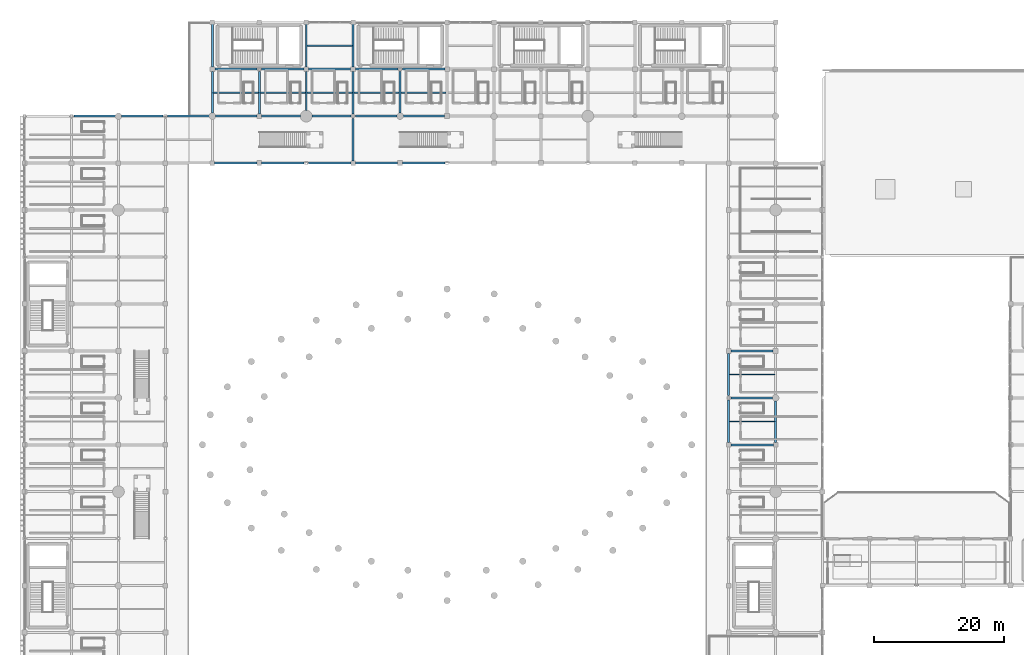
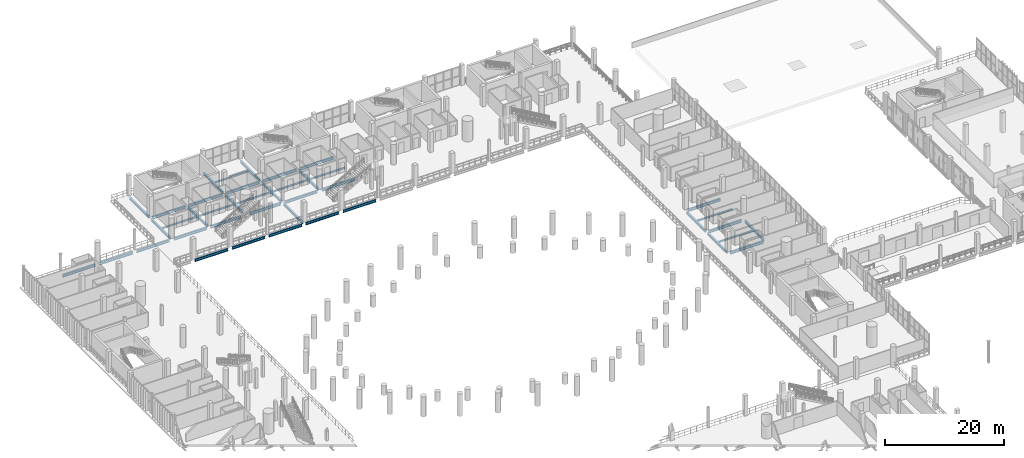
# One storey, part 60 of 130: 41 beams.
"""IFC4 building model written with IfcOpenShell, lengths in metres."""

from ifc_helpers import new_model, si_unit, direction, frame, origin, origin_2d, place, context, subcontext, project, spatial, i_section, extrude, material, material_profile, profile_set, type_object, element, save


model = new_model("IFC4")

# Units and contexts
model_context = context("Model", 3, precision=1e-05, world=origin(), true_north=direction((0.0, 1.0)))
body_context = subcontext(model_context, "Body", "Model", "MODEL_VIEW")
ifc_project = project(units=[si_unit("LENGTHUNIT", "METRE"), si_unit("AREAUNIT", "SQUARE_METRE"), si_unit("VOLUMEUNIT", "CUBIC_METRE"), si_unit("PLANEANGLEUNIT", "RADIAN"), si_unit("MASSUNIT", "GRAM", prefix="KILO")], contexts=[model_context])

# Site, building, storey
site_placement = place(None, origin())
site = spatial("IfcSite", under=ifc_project, at=site_placement, CompositionType="ELEMENT")
building_placement = place(site_placement, origin())
building = spatial("IfcBuilding", under=site, at=building_placement, Name="Qandorah Velis Arena", CompositionType="ELEMENT")
storey_placement = place(building_placement, frame((0.0, 0.0, 9.60009765625)))
storey = spatial("IfcBuildingStorey", under=building, at=storey_placement, Name="L02", CompositionType="ELEMENT", Elevation=9.60009765625)

# Beams
ifc_material = material(Name="Steel S355", Category="steel")
ifc_material_profile_1 = material_profile(ifc_material, i_section(OverallWidth=0.300048828125, OverallDepth=0.5, WebThickness=0.014404296875, FlangeThickness=0.028076171875, FilletRadius=0.027099609375, at=origin_2d()), Name="HEB 500")
ifc_profile_set_1 = profile_set([ifc_material_profile_1], Name="Steel S355")
beam_type_1 = type_object("IfcBeamType", Name="STR-BM-HEB500", PredefinedType="BEAM", material=ifc_profile_set_1)
beam_1_placement = place(storey_placement, frame((28.800048828125, 115.64990234375, -0.530029296875), z_axis=(0.0, 1.0, 0.0), x_axis=(-1.0, 0.0, 0.0)))
element("IfcBeam", 1, at=beam_1_placement, inside=storey, type_object=beam_type_1, Name="Primary floor girder L02 Y-244", PredefinedType="BEAM", context=body_context, shape_type="SweptSolid", body=[
    extrude(i_section(OverallWidth=0.300048828125, OverallDepth=0.5, WebThickness=0.014404296875, FlangeThickness=0.028076171875, FilletRadius=0.027099609375, at=origin_2d()), origin(), (0.0, 0.0, 1.0), 6.375),
])
beam_2_placement = place(storey_placement, frame((28.800048828125, 122.77490234375, -0.530029296875), z_axis=(0.0, 1.0, 0.0), x_axis=(-1.0, 0.0, 0.0)))
element("IfcBeam", 2, at=beam_2_placement, inside=storey, type_object=beam_type_1, Name="Primary floor girder L02 Y-245", PredefinedType="BEAM", context=body_context, shape_type="SweptSolid", body=[
    extrude(i_section(OverallWidth=0.300048828125, OverallDepth=0.5, WebThickness=0.014404296875, FlangeThickness=0.028076171875, FilletRadius=0.027099609375, at=origin_2d()), origin(), (0.0, 0.0, 1.0), 6.525146484375),
])
beam_3_placement = place(storey_placement, frame((36.0, 115.550048828125, -0.530029296875), z_axis=(0.0, 1.0, 0.0), x_axis=(-1.0, 0.0, 0.0)))
element("IfcBeam", 3, at=beam_3_placement, inside=storey, type_object=beam_type_1, Name="Primary floor girder L02 Y-247", PredefinedType="BEAM", context=body_context, shape_type="SweptSolid", body=[
    extrude(i_section(OverallWidth=0.300048828125, OverallDepth=0.5, WebThickness=0.014404296875, FlangeThickness=0.028076171875, FilletRadius=0.027099609375, at=origin_2d()), origin(), (0.0, 0.0, 1.0), 6.5),
])
beam_4_placement = place(storey_placement, frame((43.199951171875, 116.050048828125, -0.530029296875), z_axis=(0.0, 1.0, 0.0), x_axis=(-1.0, 0.0, 0.0)))
element("IfcBeam", 4, at=beam_4_placement, inside=storey, type_object=beam_type_1, Name="Primary floor girder L02 Y-250", PredefinedType="BEAM", context=body_context, shape_type="SweptSolid", body=[
    extrude(i_section(OverallWidth=0.300048828125, OverallDepth=0.5, WebThickness=0.014404296875, FlangeThickness=0.028076171875, FilletRadius=0.027099609375, at=origin_2d()), origin(), (0.0, 0.0, 1.0), 6.0),
])
beam_5_placement = place(storey_placement, frame((43.199951171875, 122.75, -0.530029296875), z_axis=(0.0, 1.0, 0.0), x_axis=(-1.0, 0.0, 0.0)))
element("IfcBeam", 5, at=beam_5_placement, inside=storey, type_object=beam_type_1, Name="Primary floor girder L02 Y-251", PredefinedType="BEAM", context=body_context, shape_type="SweptSolid", body=[
    extrude(i_section(OverallWidth=0.300048828125, OverallDepth=0.5, WebThickness=0.014404296875, FlangeThickness=0.028076171875, FilletRadius=0.027099609375, at=origin_2d()), origin(), (0.0, 0.0, 1.0), 6.550048828125),
])
beam_6_placement = place(storey_placement, frame((50.39990234375, 108.35009765625, -0.530029296875), z_axis=(0.0, 1.0, 0.0), x_axis=(-1.0, 0.0, 0.0)))
element("IfcBeam", 6, at=beam_6_placement, inside=storey, type_object=beam_type_1, Name="Primary floor girder L02 Y-255", PredefinedType="BEAM", context=body_context, shape_type="SweptSolid", body=[
    extrude(i_section(OverallWidth=0.300048828125, OverallDepth=0.5, WebThickness=0.014404296875, FlangeThickness=0.028076171875, FilletRadius=0.027099609375, at=origin_2d()), origin(), (0.0, 0.0, 1.0), 6.5),
])
beam_7_placement = place(storey_placement, frame((50.39990234375, 115.550048828125, -0.530029296875), z_axis=(0.0, 1.0, 0.0), x_axis=(-1.0, 0.0, 0.0)))
element("IfcBeam", 7, at=beam_7_placement, inside=storey, type_object=beam_type_1, Name="Primary floor girder L02 Y-256", PredefinedType="BEAM", context=body_context, shape_type="SweptSolid", body=[
    extrude(i_section(OverallWidth=0.300048828125, OverallDepth=0.5, WebThickness=0.014404296875, FlangeThickness=0.028076171875, FilletRadius=0.027099609375, at=origin_2d()), origin(), (0.0, 0.0, 1.0), 6.474853515625),
])
beam_8_placement = place(storey_placement, frame((50.39990234375, 122.77490234375, -0.530029296875), z_axis=(0.0, 1.0, 0.0), x_axis=(-1.0, 0.0, 0.0)))
element("IfcBeam", 8, at=beam_8_placement, inside=storey, type_object=beam_type_1, Name="Primary floor girder L02 Y-257", PredefinedType="BEAM", context=body_context, shape_type="SweptSolid", body=[
    extrude(i_section(OverallWidth=0.300048828125, OverallDepth=0.5, WebThickness=0.014404296875, FlangeThickness=0.028076171875, FilletRadius=0.027099609375, at=origin_2d()), origin(), (0.0, 0.0, 1.0), 6.525146484375),
])
beam_9_placement = place(storey_placement, frame((57.60009765625, 115.64990234375, -0.530029296875), z_axis=(0.0, 1.0, 0.0), x_axis=(-1.0, 0.0, 0.0)))
element("IfcBeam", 9, at=beam_9_placement, inside=storey, type_object=beam_type_1, Name="Primary floor girder L02 Y-259", PredefinedType="BEAM", context=body_context, shape_type="SweptSolid", body=[
    extrude(i_section(OverallWidth=0.300048828125, OverallDepth=0.5, WebThickness=0.014404296875, FlangeThickness=0.028076171875, FilletRadius=0.027099609375, at=origin_2d()), origin(), (0.0, 0.0, 1.0), 6.400146484375),
])
beam_10_placement = place(storey_placement, frame((108.0, 65.14990234375, -0.530029296875), z_axis=(0.0, 1.0, 0.0), x_axis=(-1.0, 0.0, 0.0)))
element("IfcBeam", 10, at=beam_10_placement, inside=storey, type_object=beam_type_1, Name="Primary floor girder L02 Y-296", PredefinedType="BEAM", context=body_context, shape_type="SweptSolid", body=[
    extrude(i_section(OverallWidth=0.300048828125, OverallDepth=0.5, WebThickness=0.014404296875, FlangeThickness=0.028076171875, FilletRadius=0.027099609375, at=origin_2d()), origin(), (0.0, 0.0, 1.0), 6.5),
])
beam_11_placement = place(storey_placement, frame((108.0, 72.35009765625, -0.530029296875), z_axis=(0.0, 1.0, 0.0), x_axis=(-1.0, 0.0, 0.0)))
element("IfcBeam", 11, at=beam_11_placement, inside=storey, type_object=beam_type_1, Name="Primary floor girder L02 Y-297", PredefinedType="BEAM", context=body_context, shape_type="SweptSolid", body=[
    extrude(i_section(OverallWidth=0.300048828125, OverallDepth=0.5, WebThickness=0.014404296875, FlangeThickness=0.028076171875, FilletRadius=0.027099609375, at=origin_2d()), origin(), (0.0, 0.0, 1.0), 6.474853515625),
])
beam_12_placement = place(storey_placement, frame((115.199951171875, 65.14990234375, -0.530029296875), z_axis=(0.0, 1.0, 0.0), x_axis=(-1.0, 0.0, 0.0)))
element("IfcBeam", 12, at=beam_12_placement, inside=storey, type_object=beam_type_1, Name="Primary floor girder L02 Y-313", PredefinedType="BEAM", context=body_context, shape_type="SweptSolid", body=[
    extrude(i_section(OverallWidth=0.300048828125, OverallDepth=0.5, WebThickness=0.014404296875, FlangeThickness=0.028076171875, FilletRadius=0.027099609375, at=origin_2d()), origin(), (0.0, 0.0, 1.0), 6.400146484375),
])
ifc_material_profile_2 = material_profile(ifc_material, i_section(OverallWidth=0.300048828125, OverallDepth=0.550048828125, WebThickness=0.014892578125, FlangeThickness=0.029052734375, FilletRadius=0.027099609375, at=origin_2d()), Name="HEB 550")
ifc_profile_set_2 = profile_set([ifc_material_profile_2], Name="Steel S355")
beam_type_2 = type_object("IfcBeamType", Name="STR-BM-HEB550", PredefinedType="BEAM", material=ifc_profile_set_2)
beam_13_placement = place(storey_placement, frame((108.35009765625, 64.800048828125, -0.55517578125), z_axis=(1.0, 0.0, 0.0), x_axis=(0.0, 1.0, 0.0)))
element("IfcBeam", 13, at=beam_13_placement, inside=storey, type_object=beam_type_2, Name="Primary floor girder L02 X-094", PredefinedType="BEAM", context=body_context, shape_type="SweptSolid", body=[
    extrude(i_section(OverallWidth=0.300048828125, OverallDepth=0.550048828125, WebThickness=0.014892578125, FlangeThickness=0.029052734375, FilletRadius=0.027099609375, at=origin_2d()), origin(), (0.0, 0.0, 1.0), 6.5),
])
beam_14_placement = place(storey_placement, frame((108.35009765625, 72.0, -0.55517578125), z_axis=(1.0, 0.0, 0.0), x_axis=(0.0, 1.0, 0.0)))
element("IfcBeam", 14, at=beam_14_placement, inside=storey, type_object=beam_type_2, Name="Primary floor girder L02 X-100", PredefinedType="BEAM", context=body_context, shape_type="SweptSolid", body=[
    extrude(i_section(OverallWidth=0.300048828125, OverallDepth=0.550048828125, WebThickness=0.014892578125, FlangeThickness=0.029052734375, FilletRadius=0.027099609375, at=origin_2d()), origin(), (0.0, 0.0, 1.0), 6.39990234375),
])
beam_15_placement = place(storey_placement, frame((108.375, 79.199951171875, -0.55517578125), z_axis=(1.0, 0.0, 0.0), x_axis=(0.0, 1.0, 0.0)))
element("IfcBeam", 15, at=beam_15_placement, inside=storey, type_object=beam_type_2, Name="Primary floor girder L02 X-106", PredefinedType="BEAM", context=body_context, shape_type="SweptSolid", body=[
    extrude(i_section(OverallWidth=0.300048828125, OverallDepth=0.550048828125, WebThickness=0.014892578125, FlangeThickness=0.029052734375, FilletRadius=0.027099609375, at=origin_2d()), origin(), (0.0, 0.0, 1.0), 6.449951171875),
])
for number, where, z_axis, x_axis, name in (
    (16, (29.14990234375, 108.0, -0.55517578125), (1.0, 0.0, 0.0), (0.0, 1.0, 0.0), "Primary floor girder L02 X-131"),
    (17, (36.375, 108.0, -0.55517578125), (1.0, 0.0, 0.0), (0.0, 1.0, 0.0), "Primary floor girder L02 X-132"),
):
    element("IfcBeam", number, at=place(storey_placement, frame(where, z_axis=z_axis, x_axis=x_axis)), inside=storey, type_object=beam_type_2, Name=name, PredefinedType="BEAM", context=body_context, shape_type="SweptSolid", body=[
        extrude(i_section(OverallWidth=0.300048828125, OverallDepth=0.550048828125, WebThickness=0.014892578125, FlangeThickness=0.029052734375, FilletRadius=0.027099609375, at=origin_2d()), origin(), (0.0, 0.0, 1.0), 6.47509765625),
    ])
beam_16_placement = place(storey_placement, frame((43.550048828125, 108.0, -0.55517578125), z_axis=(1.0, 0.0, 0.0), x_axis=(0.0, 1.0, 0.0)))
element("IfcBeam", 18, at=beam_16_placement, inside=storey, type_object=beam_type_2, Name="Primary floor girder L02 X-133", PredefinedType="BEAM", context=body_context, shape_type="SweptSolid", body=[
    extrude(i_section(OverallWidth=0.300048828125, OverallDepth=0.550048828125, WebThickness=0.014892578125, FlangeThickness=0.029052734375, FilletRadius=0.027099609375, at=origin_2d()), origin(), (0.0, 0.0, 1.0), 6.5),
])
beam_17_placement = place(storey_placement, frame((50.75, 108.0, -0.55517578125), z_axis=(1.0, 0.0, 0.0), x_axis=(0.0, 1.0, 0.0)))
element("IfcBeam", 19, at=beam_17_placement, inside=storey, type_object=beam_type_2, Name="Primary floor girder L02 X-134", PredefinedType="BEAM", context=body_context, shape_type="SweptSolid", body=[
    extrude(i_section(OverallWidth=0.300048828125, OverallDepth=0.550048828125, WebThickness=0.014892578125, FlangeThickness=0.029052734375, FilletRadius=0.027099609375, at=origin_2d()), origin(), (0.0, 0.0, 1.0), 6.47509765625),
])
beam_18_placement = place(storey_placement, frame((57.97509765625, 108.0, -0.55517578125), z_axis=(1.0, 0.0, 0.0), x_axis=(0.0, 1.0, 0.0)))
element("IfcBeam", 20, at=beam_18_placement, inside=storey, type_object=beam_type_2, Name="Primary floor girder L02 X-135", PredefinedType="BEAM", context=body_context, shape_type="SweptSolid", body=[
    extrude(i_section(OverallWidth=0.300048828125, OverallDepth=0.550048828125, WebThickness=0.014892578125, FlangeThickness=0.029052734375, FilletRadius=0.027099609375, at=origin_2d()), origin(), (0.0, 0.0, 1.0), 6.474853515625),
])
for number, where, z_axis, x_axis, name in (
    (21, (7.550048828125, 115.199951171875, -0.55517578125), (1.0, 0.0, 0.0), (0.0, 1.0, 0.0), "Primary floor girder L02 X-145"),
    (22, (14.85009765625, 115.199951171875, -0.55517578125), (1.0, 0.0, 0.0), (0.0, 1.0, 0.0), "Primary floor girder L02 X-146"),
):
    element("IfcBeam", number, at=place(storey_placement, frame(where, z_axis=z_axis, x_axis=x_axis)), inside=storey, type_object=beam_type_2, Name=name, PredefinedType="BEAM", context=body_context, shape_type="SweptSolid", body=[
        extrude(i_section(OverallWidth=0.300048828125, OverallDepth=0.550048828125, WebThickness=0.014892578125, FlangeThickness=0.029052734375, FilletRadius=0.027099609375, at=origin_2d()), origin(), (0.0, 0.0, 1.0), 6.39990234375),
    ])
beam_19_placement = place(storey_placement, frame((21.949951171875, 115.199951171875, -0.55517578125), z_axis=(1.0, 0.0, 0.0), x_axis=(0.0, 1.0, 0.0)))
element("IfcBeam", 23, at=beam_19_placement, inside=storey, type_object=beam_type_2, Name="Primary floor girder L02 X-147", PredefinedType="BEAM", context=body_context, shape_type="SweptSolid", body=[
    extrude(i_section(OverallWidth=0.300048828125, OverallDepth=0.550048828125, WebThickness=0.014892578125, FlangeThickness=0.029052734375, FilletRadius=0.027099609375, at=origin_2d()), origin(), (0.0, 0.0, 1.0), 6.400146484375),
])
beam_20_placement = place(storey_placement, frame((29.25, 115.199951171875, -0.55517578125), z_axis=(1.0, 0.0, 0.0), x_axis=(0.0, 1.0, 0.0)))
element("IfcBeam", 24, at=beam_20_placement, inside=storey, type_object=beam_type_2, Name="Primary floor girder L02 X-148", PredefinedType="BEAM", context=body_context, shape_type="SweptSolid", body=[
    extrude(i_section(OverallWidth=0.300048828125, OverallDepth=0.550048828125, WebThickness=0.014892578125, FlangeThickness=0.029052734375, FilletRadius=0.027099609375, at=origin_2d()), origin(), (0.0, 0.0, 1.0), 6.39990234375),
])
for number, where, z_axis, x_axis, name in (
    (25, (36.35009765625, 115.199951171875, -0.55517578125), (1.0, 0.0, 0.0), (0.0, 1.0, 0.0), "Primary floor girder L02 X-149"),
    (26, (44.050048828125, 115.199951171875, -0.55517578125), (1.0, 0.0, 0.0), (0.0, 1.0, 0.0), "Primary floor girder L02 X-150"),
):
    element("IfcBeam", number, at=place(storey_placement, frame(where, z_axis=z_axis, x_axis=x_axis)), inside=storey, type_object=beam_type_2, Name=name, PredefinedType="BEAM", context=body_context, shape_type="SweptSolid", body=[
        extrude(i_section(OverallWidth=0.300048828125, OverallDepth=0.550048828125, WebThickness=0.014892578125, FlangeThickness=0.029052734375, FilletRadius=0.027099609375, at=origin_2d()), origin(), (0.0, 0.0, 1.0), 6.0),
    ])
beam_21_placement = place(storey_placement, frame((50.75, 115.199951171875, -0.55517578125), z_axis=(1.0, 0.0, 0.0), x_axis=(0.0, 1.0, 0.0)))
element("IfcBeam", 27, at=beam_21_placement, inside=storey, type_object=beam_type_2, Name="Primary floor girder L02 X-151", PredefinedType="BEAM", context=body_context, shape_type="SweptSolid", body=[
    extrude(i_section(OverallWidth=0.300048828125, OverallDepth=0.550048828125, WebThickness=0.014892578125, FlangeThickness=0.029052734375, FilletRadius=0.027099609375, at=origin_2d()), origin(), (0.0, 0.0, 1.0), 6.39990234375),
])
beam_22_placement = place(storey_placement, frame((58.050048828125, 115.199951171875, -0.55517578125), z_axis=(1.0, 0.0, 0.0), x_axis=(0.0, 1.0, 0.0)))
element("IfcBeam", 28, at=beam_22_placement, inside=storey, type_object=beam_type_2, Name="Primary floor girder L02 X-152", PredefinedType="BEAM", context=body_context, shape_type="SweptSolid", body=[
    extrude(i_section(OverallWidth=0.300048828125, OverallDepth=0.550048828125, WebThickness=0.014892578125, FlangeThickness=0.029052734375, FilletRadius=0.027099609375, at=origin_2d()), origin(), (0.0, 0.0, 1.0), 6.375),
])
beam_23_placement = place(storey_placement, frame((29.175048828125, 122.39990234375, -0.55517578125), z_axis=(1.0, 0.0, 0.0), x_axis=(0.0, 1.0, 0.0)))
element("IfcBeam", 29, at=beam_23_placement, inside=storey, type_object=beam_type_2, Name="Primary floor girder L02 X-160", PredefinedType="BEAM", context=body_context, shape_type="SweptSolid", body=[
    extrude(i_section(OverallWidth=0.300048828125, OverallDepth=0.550048828125, WebThickness=0.014892578125, FlangeThickness=0.029052734375, FilletRadius=0.027099609375, at=origin_2d()), origin(), (0.0, 0.0, 1.0), 6.474853515625),
])
beam_24_placement = place(storey_placement, frame((36.35009765625, 122.39990234375, -0.55517578125), z_axis=(1.0, 0.0, 0.0), x_axis=(0.0, 1.0, 0.0)))
element("IfcBeam", 30, at=beam_24_placement, inside=storey, type_object=beam_type_2, Name="Primary floor girder L02 X-161", PredefinedType="BEAM", context=body_context, shape_type="SweptSolid", body=[
    extrude(i_section(OverallWidth=0.300048828125, OverallDepth=0.550048828125, WebThickness=0.014892578125, FlangeThickness=0.029052734375, FilletRadius=0.027099609375, at=origin_2d()), origin(), (0.0, 0.0, 1.0), 6.5),
])
beam_25_placement = place(storey_placement, frame((43.550048828125, 122.39990234375, -0.55517578125), z_axis=(1.0, 0.0, 0.0), x_axis=(0.0, 1.0, 0.0)))
element("IfcBeam", 31, at=beam_25_placement, inside=storey, type_object=beam_type_2, Name="Primary floor girder L02 X-162", PredefinedType="BEAM", context=body_context, shape_type="SweptSolid", body=[
    extrude(i_section(OverallWidth=0.300048828125, OverallDepth=0.550048828125, WebThickness=0.014892578125, FlangeThickness=0.029052734375, FilletRadius=0.027099609375, at=origin_2d()), origin(), (0.0, 0.0, 1.0), 6.474853515625),
])
beam_26_placement = place(storey_placement, frame((50.77490234375, 122.39990234375, -0.55517578125), z_axis=(1.0, 0.0, 0.0), x_axis=(0.0, 1.0, 0.0)))
element("IfcBeam", 32, at=beam_26_placement, inside=storey, type_object=beam_type_2, Name="Primary floor girder L02 X-163", PredefinedType="BEAM", context=body_context, shape_type="SweptSolid", body=[
    extrude(i_section(OverallWidth=0.300048828125, OverallDepth=0.550048828125, WebThickness=0.014892578125, FlangeThickness=0.029052734375, FilletRadius=0.027099609375, at=origin_2d()), origin(), (0.0, 0.0, 1.0), 6.47509765625),
])
beam_27_placement = place(storey_placement, frame((57.949951171875, 122.39990234375, -0.55517578125), z_axis=(1.0, 0.0, 0.0), x_axis=(0.0, 1.0, 0.0)))
element("IfcBeam", 33, at=beam_27_placement, inside=storey, type_object=beam_type_2, Name="Primary floor girder L02 X-164", PredefinedType="BEAM", context=body_context, shape_type="SweptSolid", body=[
    extrude(i_section(OverallWidth=0.300048828125, OverallDepth=0.550048828125, WebThickness=0.014892578125, FlangeThickness=0.029052734375, FilletRadius=0.027099609375, at=origin_2d()), origin(), (0.0, 0.0, 1.0), 6.5),
])
ifc_material_profile_3 = material_profile(ifc_material, i_section(OverallWidth=0.169921875, OverallDepth=0.360107421875, WebThickness=0.008056640625, FlangeThickness=0.0126953125, FilletRadius=0.01806640625, at=origin_2d()), Name="IPE 360")
ifc_profile_set_3 = profile_set([ifc_material_profile_3], Name="Steel S355")
beam_type_3 = type_object("IfcBeamType", Name="STR-JST-IPE360", PredefinedType="JOIST", material=ifc_profile_set_3)
for number, where, z_axis, x_axis, name in (
    (34, (28.93505859375, 118.800048828125, -0.460205078125), (1.0, 0.0, 0.0), (0.0, 1.0, 0.0), "Secondary floor joist L02-040"),
    (35, (36.135009765625, 118.800048828125, -0.460205078125), (1.0, 0.0, 0.0), (0.0, 1.0, 0.0), "Secondary floor joist L02-042"),
    (36, (43.3349609375, 118.800048828125, -0.460205078125), (1.0, 0.0, 0.0), (0.0, 1.0, 0.0), "Secondary floor joist L02-045"),
    (37, (43.3349609375, 126.0, -0.460205078125), (1.0, 0.0, 0.0), (0.0, 1.0, 0.0), "Secondary floor joist L02-046"),
):
    element("IfcBeam", number, at=place(storey_placement, frame(where, z_axis=z_axis, x_axis=x_axis)), inside=storey, type_object=beam_type_3, Name=name, PredefinedType="JOIST", context=body_context, shape_type="SweptSolid", body=[
        extrude(i_section(OverallWidth=0.169921875, OverallDepth=0.360107421875, WebThickness=0.008056640625, FlangeThickness=0.0126953125, FilletRadius=0.01806640625, at=origin_2d()), origin(), (0.0, 0.0, 1.0), 6.929931640625),
    ])
beam_28_placement = place(storey_placement, frame((50.534912109375, 118.800048828125, -0.460205078125), z_axis=(1.0, 0.0, 0.0), x_axis=(0.0, 1.0, 0.0)))
element("IfcBeam", 38, at=beam_28_placement, inside=storey, type_object=beam_type_3, Name="Secondary floor joist L02-048", PredefinedType="JOIST", context=body_context, shape_type="SweptSolid", body=[
    extrude(i_section(OverallWidth=0.169921875, OverallDepth=0.360107421875, WebThickness=0.008056640625, FlangeThickness=0.0126953125, FilletRadius=0.01806640625, at=origin_2d()), origin(), (0.0, 0.0, 1.0), 6.93017578125),
])
for number, where, z_axis, x_axis, name in (
    (39, (57.735107421875, 118.800048828125, -0.460205078125), (1.0, 0.0, 0.0), (0.0, 1.0, 0.0), "Secondary floor joist L02-050"),
    (40, (108.135009765625, 68.39990234375, -0.460205078125), (1.0, 0.0, 0.0), (0.0, 1.0, 0.0), "Secondary floor joist L02-080"),
    (41, (108.135009765625, 75.60009765625, -0.460205078125), (1.0, 0.0, 0.0), (0.0, 1.0, 0.0), "Secondary floor joist L02-081"),
):
    element("IfcBeam", number, at=place(storey_placement, frame(where, z_axis=z_axis, x_axis=x_axis)), inside=storey, type_object=beam_type_3, Name=name, PredefinedType="JOIST", context=body_context, shape_type="SweptSolid", body=[
        extrude(i_section(OverallWidth=0.169921875, OverallDepth=0.360107421875, WebThickness=0.008056640625, FlangeThickness=0.0126953125, FilletRadius=0.01806640625, at=origin_2d()), origin(), (0.0, 0.0, 1.0), 6.929931640625),
    ])

save(model, "model.ifc")
